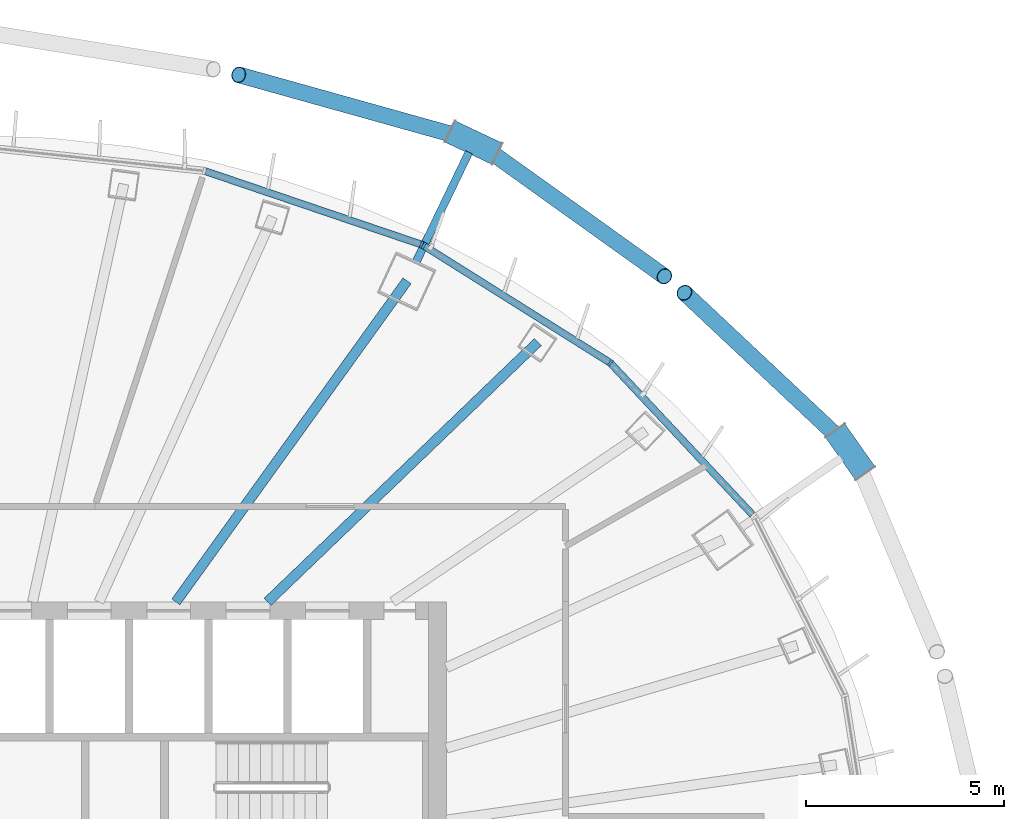
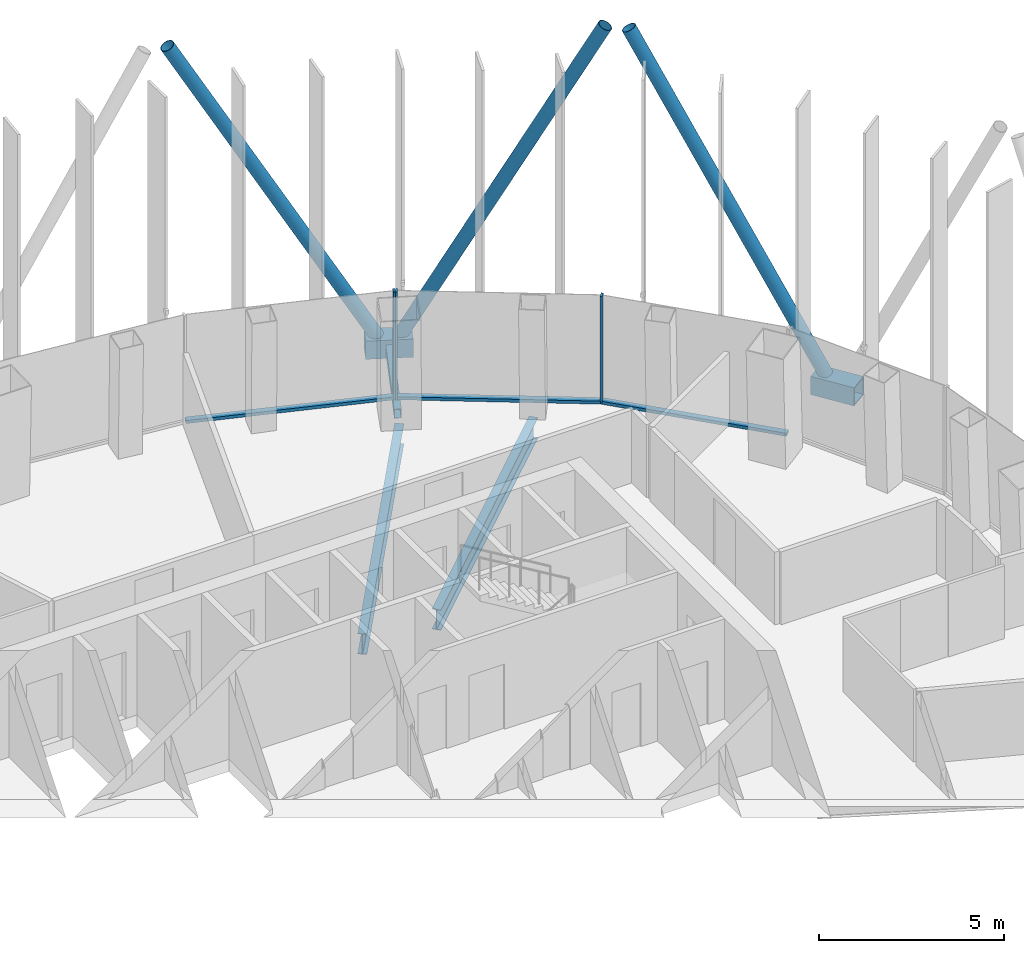
# One storey, part 6 of 17: 12 members, 2 beams, 2 elements without a shape of their own.
"""IFC4 building model written with IfcOpenShell, lengths in metres."""

from ifc_helpers import new_model, si_unit, direction, frame, origin, origin_2d, place, context, subcontext, project, spatial, rectangle, hollow_rectangle, hollow_circle, i_section, extrude, material, layer, layer_set, material_profile, profile_set, type_object, element, aggregate, save


model = new_model("IFC4")

# Units and contexts
model_context = context("Model", 3, precision=1e-05, world=origin(), true_north=direction((0.0, 1.0)))
body_context = subcontext(model_context, "Body", "Model", "MODEL_VIEW")
ifc_project = project(units=[si_unit("LENGTHUNIT", "METRE"), si_unit("AREAUNIT", "SQUARE_METRE"), si_unit("VOLUMEUNIT", "CUBIC_METRE"), si_unit("PLANEANGLEUNIT", "RADIAN"), si_unit("MASSUNIT", "GRAM", prefix="KILO")], contexts=[model_context])

# Site, building, storey
site_placement = place(None, origin())
site = spatial("IfcSite", under=ifc_project, at=site_placement, CompositionType="ELEMENT")
building_placement = place(site_placement, origin())
building = spatial("IfcBuilding", under=site, at=building_placement, Name="Siaravel Broadcast Tower", CompositionType="ELEMENT")
storey_placement = place(building_placement, frame((0.0, 0.0, 190.39990234375)))
storey = spatial("IfcBuildingStorey", under=building, at=storey_placement, Name="L46", CompositionType="ELEMENT", Elevation=190.39990234375)

# Beams
ifc_material_1 = material(Name="Steel S355", Category="steel")
ifc_material_profile_1 = material_profile(ifc_material_1, i_section(OverallWidth=0.2529296875, OverallDepth=0.677978515625, WebThickness=0.01171875, FlangeThickness=0.01611328125, FilletRadius=0.01513671875, at=origin_2d()))
ifc_profile_set_1 = profile_set([ifc_material_profile_1], Name="Steel S355")
beam_type = type_object("IfcBeamType", Name="BM-UB 686x254x125", PredefinedType="BEAM", material=ifc_profile_set_1)
beam_1_placement = place(storey_placement, frame((14.30029296875, 13.742919921875, -0.489013671875), z_axis=(-0.721006936, -0.692927845, 0.0), x_axis=(0.692927845, -0.721006936, 0.0)))
element("IfcBeam", 1, at=beam_1_placement, inside=storey, type_object=beam_type, Name="Radial beam RB06", PredefinedType="BEAM", context=body_context, shape_type="SweptSolid", body=[
    extrude(i_section(OverallWidth=0.2529296875, OverallDepth=0.677978515625, WebThickness=0.01171875, FlangeThickness=0.01611328125, FilletRadius=0.01513671875, at=origin_2d()), origin(), (0.0, 0.0, 1.0), 9.4423828125),
])
beam_2_placement = place(storey_placement, frame((11.005859375, 15.287353515625, -0.489013671875), z_axis=(-0.584260838, -0.811565939, 0.0), x_axis=(0.811565939, -0.584260838, 0.0)))
element("IfcBeam", 2, at=beam_2_placement, inside=storey, type_object=beam_type, Name="Radial beam RB07", PredefinedType="BEAM", context=body_context, shape_type="SweptSolid", body=[
    extrude(i_section(OverallWidth=0.2529296875, OverallDepth=0.677978515625, WebThickness=0.01171875, FlangeThickness=0.01611328125, FilletRadius=0.01513671875, at=origin_2d()), origin(), (0.0, 0.0, 1.0), 9.965087890625),
])

# Curtain wall, members
ifc_material_2 = material(Name="Aluminium 6063-T6", Category="aluminium")
ifc_layer = layer(ifc_material_2, 0.179931640625)
ifc_layer_set = layer_set([ifc_layer], Name="Aluminium 6063-T6")
curtain_wall_type = type_object("IfcCurtainWallType", Name="Unitised curtain wall, zone 3", PredefinedType="NOTDEFINED", material=ifc_layer_set)
curtain_wall_1_placement = place(storey_placement, origin())
curtain_wall_1 = element("IfcCurtainWall", 3, at=curtain_wall_1_placement, inside=storey, type_object=curtain_wall_type, Name="L46 Unitised curtain wall, zone 3 02", PredefinedType="NOTDEFINED")
ifc_material_profile_2 = material_profile(ifc_material_2, rectangle(XDim=0.179931640625, YDim=0.06005859375, at=origin_2d()))
ifc_profile_set_2 = profile_set([ifc_material_profile_2], Name="Aluminium 6063-T6")
member_type_1 = type_object("IfcMemberType", Name="CW-Z3 mullion", PredefinedType="MULLION", material=ifc_profile_set_2)
member_1_placement = place(storey_placement, frame((16.12548828125, 13.221435546875, 0.0), z_axis=(0.0, 0.0, 1.0), x_axis=(-0.636218507, -0.771508918, 0.0)))
member_1 = element("IfcMember", 4, at=member_1_placement, type_object=member_type_1, Name="CW-Z3 mullion 2", PredefinedType="MULLION", context=body_context, shape_type="SweptSolid", body=[
    extrude(rectangle(XDim=0.179931640625, YDim=0.06005859375, at=origin_2d()), origin(), (0.0, 0.0, 1.0), 3.550048828125),
])
member_2_placement = place(storey_placement, frame((11.427001953125, 16.1748046875, 0.0), z_axis=(0.0, 0.0, 1.0), x_axis=(-0.532149052, -0.846650687, 0.0)))
member_2 = element("IfcMember", 5, at=member_2_placement, type_object=member_type_1, Name="CW-Z3 mullion 3", PredefinedType="MULLION", context=body_context, shape_type="SweptSolid", body=[
    extrude(rectangle(XDim=0.179931640625, YDim=0.06005859375, at=origin_2d()), origin(), (0.0, 0.0, 1.0), 3.550048828125),
])

# Curtain wall, member
curtain_wall_2_placement = place(storey_placement, origin())
curtain_wall_2 = element("IfcCurtainWall", 6, at=curtain_wall_2_placement, inside=storey, type_object=curtain_wall_type, Name="L46 Unitised curtain wall, zone 3 03", PredefinedType="NOTDEFINED")
member_3_placement = place(storey_placement, frame((11.373046875, 16.2001953125, 0.0), z_axis=(0.0, 0.0, 1.0), x_axis=(-0.321300458, -0.946977305, 0.0)))
member_3 = element("IfcMember", 7, at=member_3_placement, type_object=member_type_1, Name="CW-Z3 mullion 1", PredefinedType="MULLION", context=body_context, shape_type="SweptSolid", body=[
    extrude(rectangle(XDim=0.179931640625, YDim=0.06005859375, at=origin_2d()), origin(), (0.0, 0.0, 1.0), 3.550048828125),
])

# Member
ifc_material_profile_3 = material_profile(ifc_material_2, rectangle(XDim=0.179931640625, YDim=0.10009765625, at=origin_2d()))
ifc_profile_set_3 = profile_set([ifc_material_profile_3], Name="Aluminium 6063-T6")
member_type_2 = type_object("IfcMemberType", Name="CW-Z3 transom", PredefinedType="USERDEFINED", material=ifc_profile_set_3)
member_4_placement = place(storey_placement, frame((19.710693359375, 9.394287109375, 0.050048828125), z_axis=(-0.683645131, 0.72981459, 0.0), x_axis=(-0.72981459, -0.683645131, 0.0)))
member_4 = element("IfcMember", 8, at=member_4_placement, type_object=member_type_2, Name="CW-Z3 transom 1", ObjectType="TRANSOM", PredefinedType="USERDEFINED", context=body_context, shape_type="SweptSolid", body=[
    extrude(rectangle(XDim=0.179931640625, YDim=0.10009765625, at=origin_2d()), origin(), (0.0, 0.0, 1.0), 5.2138671875),
])

member_5_placement = place(storey_placement, frame((16.10009765625, 13.2373046875, 0.050048828125), z_axis=(-0.846638839, 0.532167902, 0.0), x_axis=(-0.532167902, -0.846638839, 0.0)))
member_5 = element("IfcMember", 9, at=member_5_placement, type_object=member_type_2, Name="CW-Z3 transom 2", ObjectType="TRANSOM", PredefinedType="USERDEFINED", context=body_context, shape_type="SweptSolid", body=[
    extrude(rectangle(XDim=0.179931640625, YDim=0.10009765625, at=origin_2d()), origin(), (0.0, 0.0, 1.0), 5.489501953125),
])

aggregate(curtain_wall_1, [member_1, member_2, member_4, member_5])

member_6_placement = place(storey_placement, frame((11.3447265625, 16.2099609375, 0.050048828125), z_axis=(-0.946978932, 0.321295661, 0.0), x_axis=(-0.321295661, -0.946978932, 0.0)))
member_6 = element("IfcMember", 10, at=member_6_placement, type_object=member_type_2, Name="CW-Z3 transom 1", ObjectType="TRANSOM", PredefinedType="USERDEFINED", context=body_context, shape_type="SweptSolid", body=[
    extrude(rectangle(XDim=0.179931640625, YDim=0.10009765625, at=origin_2d()), origin(), (0.0, 0.0, 1.0), 5.718017578125),
])

aggregate(curtain_wall_2, [member_3, member_6])

# Members
ifc_material_3 = material(Name="Steel S460", Category="steel")
ifc_material_profile_4 = material_profile(ifc_material_3, hollow_circle(Radius=0.203125, WallThickness=0.01611328125, at=origin_2d()))
ifc_profile_set_4 = profile_set([ifc_material_profile_4], Name="Steel S460")
member_type_3 = type_object("IfcMemberType", Name="Diagrid diagonal CHS 406.4x16", PredefinedType="BRACE", material=ifc_profile_set_4)
member_7_placement = place(storey_placement, frame((21.982421875, 11.2412109375, 0.070068359375), z_axis=(-0.335500902, 0.315078572, 0.88778637), x_axis=(-0.6845728, -0.728944498, 0.0)))
element("IfcMember", 11, at=member_7_placement, inside=storey, type_object=member_type_3, Name="Diagrid diagonal R19 station 06A", PredefinedType="BRACE", context=body_context, shape_type="SweptSolid", body=[
    extrude(hollow_circle(Radius=0.203125, WallThickness=0.01611328125, at=origin_2d()), origin(), (0.0, 0.0, 1.0), 11.894775390625),
])
member_8_placement = place(storey_placement, frame((12.976318359375, 18.630126953125, 0.070068359375), z_axis=(0.378431016, -0.270813609, 0.885127084), x_axis=(0.581957602, 0.813219128, 0.0)))
element("IfcMember", 12, at=member_8_placement, inside=storey, type_object=member_type_3, Name="Diagrid diagonal R19 station 12C", PredefinedType="BRACE", context=body_context, shape_type="SweptSolid", body=[
    extrude(hollow_circle(Radius=0.203125, WallThickness=0.01611328125, at=origin_2d()), origin(), (0.0, 0.0, 1.0), 11.9306640625),
])
member_9_placement = place(storey_placement, frame((12.391357421875, 18.90673828125, 0.070068359375), z_axis=(-0.466270762, 0.130197346, 0.875008701), x_axis=(-0.268943218, -0.963156034, 0.0)))
element("IfcMember", 13, at=member_9_placement, inside=storey, type_object=member_type_3, Name="Diagrid diagonal R19 station 12A", PredefinedType="BRACE", context=body_context, shape_type="SweptSolid", body=[
    extrude(hollow_circle(Radius=0.203125, WallThickness=0.01611328125, at=origin_2d()), origin(), (0.0, 0.0, 1.0), 12.068603515625),
])
ifc_material_profile_5 = material_profile(ifc_material_3, hollow_rectangle(XDim=0.60009765625, YDim=0.60009765625, WallThickness=0.031982421875, at=origin_2d()))
ifc_profile_set_5 = profile_set([ifc_material_profile_5], Name="Steel S460")
member_type_4 = type_object("IfcMemberType", Name="Diagrid node BOX 600x600x32", PredefinedType="USERDEFINED", material=ifc_profile_set_5)
for number, where, z_axis, x_axis, name in (
    (14, (22.54150390625, 10.4482421875, -0.199951171875), (-0.576030928, 0.817427899, 0.0), (-0.817427899, -0.576030928, 0.0), "Diagrid node R19 station 06"),
    (15, (13.268310546875, 18.491943359375, -0.199951171875), (-0.903991359, 0.427550726, 0.0), (-0.427550726, -0.903991359, 0.0), "Diagrid node R19 station 12"),
):
    element("IfcMember", number, at=place(storey_placement, frame(where, z_axis=z_axis, x_axis=x_axis)), inside=storey, type_object=member_type_4, Name=name, ObjectType="DIAGRID NODE", PredefinedType="USERDEFINED", context=body_context, shape_type="SweptSolid", body=[
        extrude(hollow_rectangle(XDim=0.60009765625, YDim=0.60009765625, WallThickness=0.031982421875, at=origin_2d()), origin(), (0.0, 0.0, 1.0), 1.29345703125),
    ])
ifc_material_profile_6 = material_profile(ifc_material_3, hollow_rectangle(XDim=0.199951171875, YDim=0.300048828125, WallThickness=0.012451171875, at=origin_2d()))
ifc_profile_set_6 = profile_set([ifc_material_profile_6], Name="Steel S460")
member_type_5 = type_object("IfcMemberType", Name="Diagrid node arm RHS 300x200x12.5", PredefinedType="STRUT", material=ifc_profile_set_6)
member_10_placement = place(storey_placement, frame((11.231689453125, 15.755859375, -0.199951171875), z_axis=(0.434238201, 0.900798082, 0.0), x_axis=(-0.900798082, 0.434238201, 0.0)))
element("IfcMember", 16, at=member_10_placement, inside=storey, type_object=member_type_5, Name="Node arm R19 station 12", PredefinedType="STRUT", context=body_context, shape_type="SweptSolid", body=[
    extrude(hollow_rectangle(XDim=0.199951171875, YDim=0.300048828125, WallThickness=0.012451171875, at=origin_2d()), origin(), (0.0, 0.0, 1.0), 3.07421875),
])

save(model, "model.ifc")
